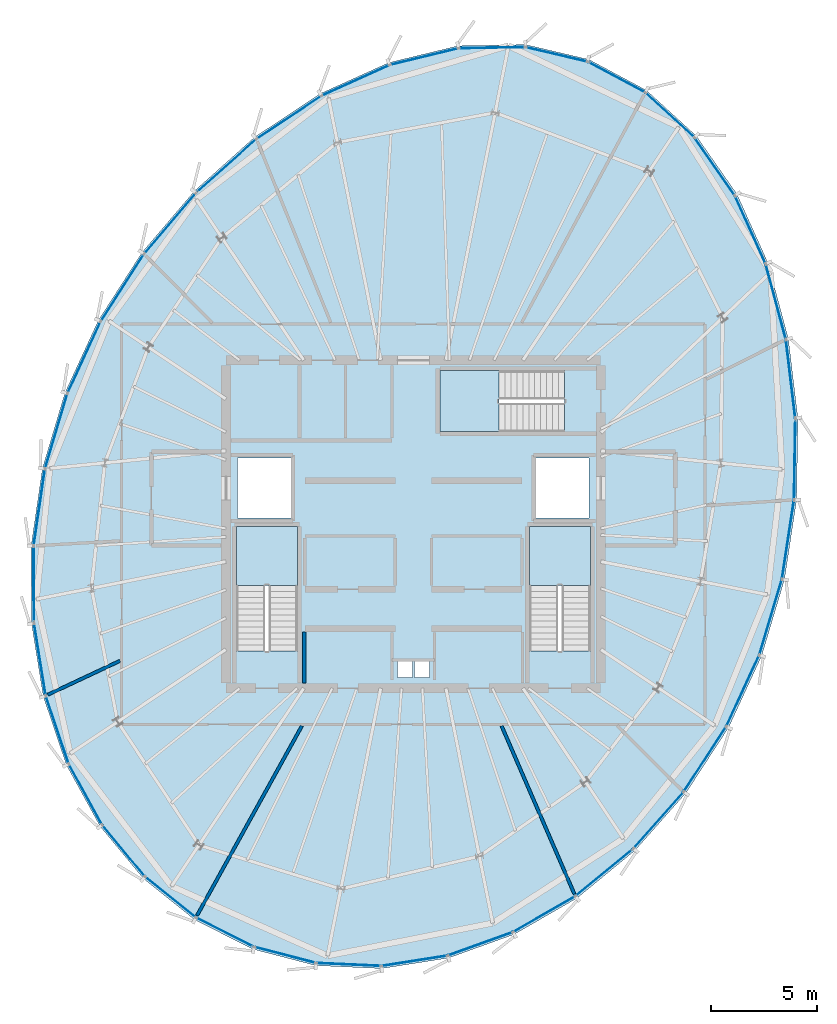
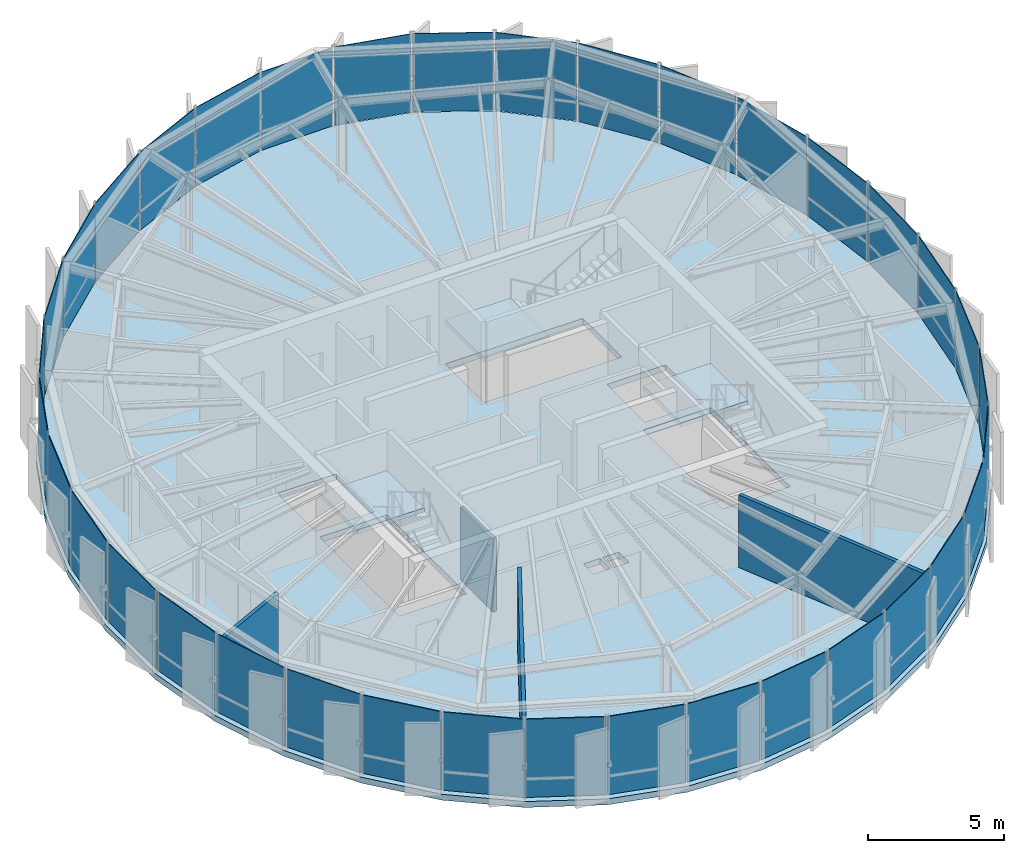
# One storey, part 21 of 27: 36 plates, 4 slabs, 4 walls, 9 elements without a shape of their own.
"""IFC4 building model written with IfcOpenShell, lengths in metres."""

from ifc_helpers import new_model, si_unit, direction, frame, frame_2d, origin, origin_2d, place, context, subcontext, project, spatial, polyline, rectangle, outline, extrude, source, transform, mapped, material, layer, layer_set, type_object, element, aggregate, save


model = new_model("IFC4")

# Units and contexts
model_context = context("Model", 3, precision=1e-05, world=origin(), true_north=direction((0.0, 1.0)))
body_context = subcontext(model_context, "Body", "Model", "MODEL_VIEW")
ifc_project = project(units=[si_unit("LENGTHUNIT", "METRE"), si_unit("AREAUNIT", "SQUARE_METRE"), si_unit("VOLUMEUNIT", "CUBIC_METRE"), si_unit("PLANEANGLEUNIT", "RADIAN"), si_unit("MASSUNIT", "GRAM", prefix="KILO"), si_unit("THERMODYNAMICTEMPERATUREUNIT", "KELVIN")], contexts=[model_context])

# Site, building, storey
site_placement = place(None, origin())
site = spatial("IfcSite", under=ifc_project, at=site_placement, CompositionType="ELEMENT")
building_placement = place(site_placement, origin())
building = spatial("IfcBuilding", under=site, at=building_placement, Name="Kethvar Cultural Tower", CompositionType="ELEMENT")
storey_placement = place(building_placement, frame((0.0, 0.0, 312.300048828125)))
storey = spatial("IfcBuildingStorey", under=building, at=storey_placement, Name="L83", CompositionType="ELEMENT", Elevation=312.300048828125)

# Slab
ifc_material_1 = material(Name="Concrete C45/55", Category="concrete")
ifc_layer_1 = layer(ifc_material_1, 0.264892578125, Name="Concrete C45/55", Category="concrete")
ifc_layer_set_1 = layer_set([ifc_layer_1], Name="Concrete C45/55 (265 mm)")
slab_type_1 = type_object("IfcSlabType", Name="SL-CRN-265", PredefinedType="FLOOR", material=ifc_layer_set_1)
slab_1_placement = place(storey_placement, frame((0.0, 0.0, -0.26513671875)))
element("IfcSlab", 1, at=slab_1_placement, inside=storey, type_object=slab_type_1, Name="L83 Structural Floor Slab", PredefinedType="FLOOR", context=body_context, shape_type="SweptSolid", body=[
    extrude(outline(polyline([(55.047607421875, 49.626953125), (52.06591796875, 50.326904296875), (48.89599609375, 50.268310546875), (45.644287109375, 49.479248046875), (42.424072265625, 48.021728515625), (39.34912109375, 45.98291015625), (36.527587890625, 43.46240234375), (34.0546875, 40.562255859375), (32.00732421875, 37.376708984375), (30.4404296875, 33.981689453125), (29.379638671875, 30.422607421875), (28.847900390625, 26.783447265625), (28.86181640625, 23.175537109375), (29.4208984375, 19.7080078125), (30.5078125, 16.486328125), (32.089599609375, 13.6083984375), (34.11865234375, 11.16162109375), (36.532958984375, 9.220458984375), (39.25927734375, 7.843994140625), (42.214599609375, 7.073486328125), (45.309326171875, 6.93310546875), (48.44921875, 7.426513671875), (51.5390625, 8.539306640625), (54.485107421875, 10.237060546875), (57.197509765625, 12.468505859375), (59.59375, 15.165771484375), (61.6015625, 18.246826171875), (63.159423828125, 21.618408203125), (64.229248046875, 25.200927734375), (64.80029296875, 28.9443359375), (64.863037109375, 32.755126953125), (64.413330078125, 36.51171875), (63.455322265625, 40.07470703125), (62.003662109375, 43.29736328125), (60.08642578125, 46.039794921875), (57.747314453125, 48.18017578125), (55.047607421875, 49.626953125)]), holes=[polyline([(38.489990234375, 21.85009765625), (38.489990234375, 27.699951171875), (41.35009765625, 27.699951171875), (41.35009765625, 21.85009765625), (38.489990234375, 21.85009765625)]), polyline([(52.25, 21.85009765625), (52.25, 27.699951171875), (55.110107421875, 27.699951171875), (55.110107421875, 21.85009765625), (52.25, 21.85009765625)]), polyline([(53.89990234375, 32.14990234375), (48.050048828125, 32.14990234375), (48.050048828125, 35.010009765625), (53.89990234375, 35.010009765625), (53.89990234375, 32.14990234375)]), polyline([(38.550048828125, 30.89990234375), (41.050048828125, 30.89990234375), (41.050048828125, 28.10009765625), (38.550048828125, 28.10009765625), (38.550048828125, 30.89990234375)]), polyline([(52.550048828125, 30.89990234375), (55.050048828125, 30.89990234375), (55.050048828125, 28.10009765625), (52.550048828125, 28.10009765625), (52.550048828125, 30.89990234375)]), polyline([(46.050048828125, 21.35009765625), (46.75, 21.35009765625), (46.75, 20.60009765625), (46.050048828125, 20.60009765625), (46.050048828125, 21.35009765625)]), polyline([(46.85009765625, 21.35009765625), (47.550048828125, 21.35009765625), (47.550048828125, 20.60009765625), (46.85009765625, 20.60009765625), (46.85009765625, 21.35009765625)])]), origin(), (0.0, 0.0, 1.0), 0.26513671875),
])

# Stair, slab
ifc_material_2 = material(Name="Concrete C40/50", Category="concrete")
stair_type = type_object("IfcStairType", Name="ST-DOGLEG-135", PredefinedType="HALF_TURN_STAIR", material=ifc_material_2)
stair_1_placement = place(storey_placement, origin())
stair_1 = element("IfcStair", 2, at=stair_1_placement, inside=storey, type_object=stair_type, Name="L83 Core Exit Stair 1", PredefinedType="HALF_TURN_STAIR")
ifc_layer_2 = layer(ifc_material_2, 0.199951171875, Name="Concrete C40/50", Category="concrete")
ifc_layer_set_2 = layer_set([ifc_layer_2], Name="Concrete C40/50 (200 mm)")
slab_type_2 = type_object("IfcSlabType", Name="SL-STAIR-LANDING-200", PredefinedType="LANDING", material=ifc_layer_set_2)
slab_2_placement = place(storey_placement, frame((0.0, 0.0, 1.800048828125)))
slab_2 = element("IfcSlab", 3, at=slab_2_placement, type_object=slab_type_2, Name="ST-01 landing 1", PredefinedType="LANDING", context=body_context, shape_type="SweptSolid", body=[
    extrude(outline(polyline([(41.35009765625, 24.929931640625), (41.35009765625, 27.699951171875), (38.489990234375, 27.699951171875), (38.489990234375, 24.929931640625), (41.35009765625, 24.929931640625)])), origin(), (0.0, 0.0, 1.0), 0.199951171875),
])
aggregate(stair_1, [slab_2])

stair_2_placement = place(storey_placement, origin())
stair_2 = element("IfcStair", 4, at=stair_2_placement, inside=storey, type_object=stair_type, Name="L83 Core Exit Stair 2", PredefinedType="HALF_TURN_STAIR")
slab_3_placement = place(storey_placement, frame((0.0, 0.0, 1.800048828125)))
slab_3 = element("IfcSlab", 5, at=slab_3_placement, type_object=slab_type_2, Name="ST-02 landing 1", PredefinedType="LANDING", context=body_context, shape_type="SweptSolid", body=[
    extrude(outline(polyline([(55.110107421875, 24.929931640625), (55.110107421875, 27.699951171875), (52.25, 27.699951171875), (52.25, 24.929931640625), (55.110107421875, 24.929931640625)])), origin(), (0.0, 0.0, 1.0), 0.199951171875),
])
aggregate(stair_2, [slab_3])

stair_3_placement = place(storey_placement, origin())
stair_3 = element("IfcStair", 6, at=stair_3_placement, inside=storey, type_object=stair_type, Name="L83 Core Exit Stair 3", PredefinedType="HALF_TURN_STAIR")
slab_4_placement = place(storey_placement, frame((0.0, 0.0, 1.800048828125)))
slab_4 = element("IfcSlab", 7, at=slab_4_placement, type_object=slab_type_2, Name="ST-03 landing 1", PredefinedType="LANDING", context=body_context, shape_type="SweptSolid", body=[
    extrude(outline(polyline([(50.820068359375, 35.010009765625), (48.050048828125, 35.010009765625), (48.050048828125, 32.14990234375), (50.820068359375, 32.14990234375), (50.820068359375, 35.010009765625)])), origin(), (0.0, 0.0, 1.0), 0.199951171875),
])
aggregate(stair_3, [slab_4])

# Curtain wall, plate
ifc_material_3 = material(Name="Aluminium 6063-T6", Category="aluminium")
ifc_layer_3 = layer(ifc_material_3, 0.179931640625, Name="Aluminium 6063-T6", Category="aluminium")
ifc_layer_set_3 = layer_set([ifc_layer_3], Name="Aluminium 6063-T6 (180 mm)")
curtain_wall_type = type_object("IfcCurtainWallType", Name="CW-SYS-06-CROWN", PredefinedType="NOTDEFINED", material=ifc_layer_set_3)
curtain_wall_1_placement = place(storey_placement, origin())
curtain_wall_1 = element("IfcCurtainWall", 8, at=curtain_wall_1_placement, inside=storey, type_object=curtain_wall_type, Name="L83 Curtain Wall Run 01", PredefinedType="NOTDEFINED")
ifc_material_4 = material(Name="Insulated Low-E Solar Glass", Category="glass")
ifc_layer_4 = layer(ifc_material_4, 0.033935546875, Name="Insulated Low-E Solar Glass", Category="glass")
ifc_layer_set_4 = layer_set([ifc_layer_4], Name="Insulated Low-E Solar Glass (34 mm)")
plate_type = type_object("IfcPlateType", Name="CW-SYS-06-CROWN-PNL", PredefinedType="CURTAIN_PANEL", material=ifc_layer_set_4)
shared_shape_1 = source(origin(), body_context, "Body", "SweptSolid", [
    extrude(rectangle(XDim=3.595703125, YDim=0.033935546875, at=origin_2d()), origin(), (0.0, 0.0, 1.0), 3.514892578125),
])
plate_1_placement = place(storey_placement, frame((40.952880859375, 46.90234375, 0.10986328125), z_axis=(0.0, 0.0, 1.0), x_axis=(-0.833423139847, -0.552635386098, 0.0)))
plate_1 = element("IfcPlate", 9, at=plate_1_placement, type_object=plate_type, Name="CW-L83-R01 Vision Glazing Panel 5", PredefinedType="CURTAIN_PANEL", context=body_context, shape_type="MappedRepresentation", body=[
    mapped(shared_shape_1, transform((0.0, 0.0, 0.0), scale=1.0)),
])

curtain_wall_2_placement = place(storey_placement, origin())
curtain_wall_2 = element("IfcCurtainWall", 10, at=curtain_wall_2_placement, inside=storey, type_object=curtain_wall_type, Name="L83 Curtain Wall Run 06", PredefinedType="NOTDEFINED")
plate_2_placement = place(storey_placement, frame((63.818603515625, 38.261962890625, 0.10986328125), z_axis=(0.0, 0.0, 1.0), x_axis=(-0.259661875744, 0.965699596295, 0.0)))
plate_2 = element("IfcPlate", 11, at=plate_2_placement, type_object=plate_type, Name="CW-L83-R06 Vision Glazing Panel 2", PredefinedType="CURTAIN_PANEL", context=body_context, shape_type="MappedRepresentation", body=[
    mapped(shared_shape_1, transform((0.0, 0.0, 0.0), scale=1.0)),
])

curtain_wall_3_placement = place(storey_placement, origin())
curtain_wall_3 = element("IfcCurtainWall", 12, at=curtain_wall_3_placement, inside=storey, type_object=curtain_wall_type, Name="L83 Curtain Wall Run 02", PredefinedType="NOTDEFINED")
shared_shape_2 = source(origin(), body_context, "Body", "SweptSolid", [
    extrude(rectangle(XDim=3.717529296875, YDim=0.033935546875, at=origin_2d()), origin(), (0.0, 0.0, 1.0), 3.514892578125),
])
plate_3_placement = place(storey_placement, frame((35.38232421875, 41.934326171875, 0.10986328125), z_axis=(0.0, 0.0, 1.0), x_axis=(-0.648863907024, -0.760904481628, 0.0)))
plate_3 = element("IfcPlate", 13, at=plate_3_placement, type_object=plate_type, Name="CW-L83-R02 Vision Glazing Panel 1", PredefinedType="CURTAIN_PANEL", context=body_context, shape_type="MappedRepresentation", body=[
    mapped(shared_shape_2, transform((0.0, 0.0, 0.0), scale=1.0)),
])

# Plate
shared_shape_3 = source(origin(), body_context, "Body", "SweptSolid", [
    extrude(rectangle(XDim=2.969482421875, YDim=0.033935546875, at=origin_2d()), origin(), (0.0, 0.0, 1.0), 3.514892578125),
])
plate_4_placement = place(storey_placement, frame((53.529296875, 49.860107421875, 0.10986328125), z_axis=(0.0, 0.0, 1.0), x_axis=(-0.973535044711, 0.228537779632, 0.0)))
plate_4 = element("IfcPlate", 14, at=plate_4_placement, type_object=plate_type, Name="CW-L83-R01 Vision Glazing Panel 1", PredefinedType="CURTAIN_PANEL", context=body_context, shape_type="MappedRepresentation", body=[
    mapped(shared_shape_3, transform((0.0, 0.0, 0.0), scale=1.0)),
])

plate_5_placement = place(storey_placement, frame((56.3408203125, 48.7978515625, 0.10986328125), z_axis=(0.0, 0.0, 1.0), x_axis=(-0.881394159057, 0.472381558045, 0.0)))
plate_5 = element("IfcPlate", 15, at=plate_5_placement, type_object=plate_type, Name="CW-L83-R06 Vision Glazing Panel 6", PredefinedType="CURTAIN_PANEL", context=body_context, shape_type="MappedRepresentation", body=[
    mapped(shared_shape_3, transform((0.0, 0.0, 0.0), scale=1.0)),
])

shared_shape_4 = source(origin(), body_context, "Body", "SweptSolid", [
    extrude(rectangle(XDim=3.076904296875, YDim=0.033935546875, at=origin_2d()), origin(), (0.0, 0.0, 1.0), 3.514892578125),
])
plate_6_placement = place(storey_placement, frame((50.48291015625, 50.177734375, 0.10986328125), z_axis=(0.0, 0.0, 1.0), x_axis=(-0.999828547786, -0.018516885037, 0.0)))
plate_6 = element("IfcPlate", 16, at=plate_6_placement, type_object=plate_type, Name="CW-L83-R01 Vision Glazing Panel 2", PredefinedType="CURTAIN_PANEL", context=body_context, shape_type="MappedRepresentation", body=[
    mapped(shared_shape_4, transform((0.0, 0.0, 0.0), scale=1.0)),
])

plate_7_placement = place(storey_placement, frame((58.8359375, 47.021484375, 0.10986328125), z_axis=(0.0, 0.0, 1.0), x_axis=(-0.737748808042, 0.675075326339, 0.0)))
plate_7 = element("IfcPlate", 17, at=plate_7_placement, type_object=plate_type, Name="CW-L83-R06 Vision Glazing Panel 5", PredefinedType="CURTAIN_PANEL", context=body_context, shape_type="MappedRepresentation", body=[
    mapped(shared_shape_4, transform((0.0, 0.0, 0.0), scale=1.0)),
])

shared_shape_5 = source(origin(), body_context, "Body", "SweptSolid", [
    extrude(rectangle(XDim=3.25244140625, YDim=0.033935546875, at=origin_2d()), origin(), (0.0, 0.0, 1.0), 3.514892578125),
])
plate_8_placement = place(storey_placement, frame((47.29833984375, 49.757080078125, 0.10986328125), z_axis=(0.0, 0.0, 1.0), x_axis=(-0.971796603568, -0.235820612531, 0.0)))
plate_8 = element("IfcPlate", 18, at=plate_8_placement, type_object=plate_type, Name="CW-L83-R01 Vision Glazing Panel 3", PredefinedType="CURTAIN_PANEL", context=body_context, shape_type="MappedRepresentation", body=[
    mapped(shared_shape_5, transform((0.0, 0.0, 0.0), scale=1.0)),
])

plate_9_placement = place(storey_placement, frame((60.94677734375, 44.599853515625, 0.10986328125), z_axis=(0.0, 0.0, 1.0), x_axis=(-0.572990116638, 0.819562277216, 0.0)))
plate_9 = element("IfcPlate", 19, at=plate_9_placement, type_object=plate_type, Name="CW-L83-R06 Vision Glazing Panel 4", PredefinedType="CURTAIN_PANEL", context=body_context, shape_type="MappedRepresentation", body=[
    mapped(shared_shape_5, transform((0.0, 0.0, 0.0), scale=1.0)),
])

shared_shape_6 = source(origin(), body_context, "Body", "SweptSolid", [
    extrude(rectangle(XDim=3.441162109375, YDim=0.033935546875, at=origin_2d()), origin(), (0.0, 0.0, 1.0), 3.514892578125),
])
plate_10_placement = place(storey_placement, frame((44.08349609375, 48.64111328125, 0.10986328125), z_axis=(0.0, 0.0, 1.0), x_axis=(-0.911029422747, -0.412341352388, 0.0)))
plate_10 = element("IfcPlate", 20, at=plate_10_placement, type_object=plate_type, Name="CW-L83-R01 Vision Glazing Panel 4", PredefinedType="CURTAIN_PANEL", context=body_context, shape_type="MappedRepresentation", body=[
    mapped(shared_shape_6, transform((0.0, 0.0, 0.0), scale=1.0)),
])

shared_shape_7 = source(origin(), body_context, "Body", "SweptSolid", [
    extrude(rectangle(XDim=3.689697265625, YDim=0.033935546875, at=origin_2d()), origin(), (0.0, 0.0, 1.0), 3.514892578125),
])
plate_11_placement = place(storey_placement, frame((38.018310546875, 44.633056640625, 0.10986328125), z_axis=(0.0, 0.0, 1.0), x_axis=(-0.745778385758, -0.666194115357, 0.0)))
plate_11 = element("IfcPlate", 21, at=plate_11_placement, type_object=plate_type, Name="CW-L83-R01 Vision Glazing Panel 6", PredefinedType="CURTAIN_PANEL", context=body_context, shape_type="MappedRepresentation", body=[
    mapped(shared_shape_7, transform((0.0, 0.0, 0.0), scale=1.0)),
])

aggregate(curtain_wall_1, [plate_4, plate_6, plate_8, plate_10, plate_1, plate_11])

shared_shape_8 = source(origin(), body_context, "Body", "SweptSolid", [
    extrude(rectangle(XDim=3.693115234375, YDim=0.033935546875, at=origin_2d()), origin(), (0.0, 0.0, 1.0), 3.514892578125),
])
plate_12_placement = place(storey_placement, frame((33.132080078125, 38.90478515625, 0.10986328125), z_axis=(0.0, 0.0, 1.0), x_axis=(-0.540622130321, -0.84126554203, 0.0)))
plate_12 = element("IfcPlate", 22, at=plate_12_placement, type_object=plate_type, Name="CW-L83-R02 Vision Glazing Panel 2", PredefinedType="CURTAIN_PANEL", context=body_context, shape_type="MappedRepresentation", body=[
    mapped(shared_shape_8, transform((0.0, 0.0, 0.0), scale=1.0)),
])

# Curtain wall, plate
curtain_wall_4_placement = place(storey_placement, origin())
curtain_wall_4 = element("IfcCurtainWall", 23, at=curtain_wall_4_placement, inside=storey, type_object=curtain_wall_type, Name="L83 Curtain Wall Run 05", PredefinedType="NOTDEFINED")
plate_13_placement = place(storey_placement, frame((64.396240234375, 27.0908203125, 0.10986328125), z_axis=(0.0, 0.0, 1.0), x_axis=(0.150812240392, 0.988562425013, 0.0)))
plate_13 = element("IfcPlate", 24, at=plate_13_placement, type_object=plate_type, Name="CW-L83-R05 Vision Glazing Panel 5", PredefinedType="CURTAIN_PANEL", context=body_context, shape_type="MappedRepresentation", body=[
    mapped(shared_shape_8, transform((0.0, 0.0, 0.0), scale=1.0)),
])

# Plate
shared_shape_9 = source(origin(), body_context, "Body", "SweptSolid", [
    extrude(rectangle(XDim=3.6455078125, YDim=0.033935546875, at=origin_2d()), origin(), (0.0, 0.0, 1.0), 3.514892578125),
])
plate_14_placement = place(storey_placement, frame((31.3330078125, 35.62890625, 0.10986328125), z_axis=(0.0, 0.0, 1.0), x_axis=(-0.419055949883, -0.90796041261, 0.0)))
plate_14 = element("IfcPlate", 25, at=plate_14_placement, type_object=plate_type, Name="CW-L83-R02 Vision Glazing Panel 3", PredefinedType="CURTAIN_PANEL", context=body_context, shape_type="MappedRepresentation", body=[
    mapped(shared_shape_9, transform((0.0, 0.0, 0.0), scale=1.0)),
])

plate_15_placement = place(storey_placement, frame((63.579345703125, 23.444091796875, 0.10986328125), z_axis=(0.0, 0.0, 1.0), x_axis=(0.286123210965, 0.958192834531, 0.0)))
plate_15 = element("IfcPlate", 26, at=plate_15_placement, type_object=plate_type, Name="CW-L83-R05 Vision Glazing Panel 4", PredefinedType="CURTAIN_PANEL", context=body_context, shape_type="MappedRepresentation", body=[
    mapped(shared_shape_9, transform((0.0, 0.0, 0.0), scale=1.0)),
])

shared_shape_10 = source(origin(), body_context, "Body", "SweptSolid", [
    extrude(rectangle(XDim=3.620361328125, YDim=0.033935546875, at=origin_2d()), origin(), (0.0, 0.0, 1.0), 3.514892578125),
])
plate_16_placement = place(storey_placement, frame((30.025146484375, 32.16796875, 0.10986328125), z_axis=(0.0, 0.0, 1.0), x_axis=(-0.285654915462, -0.958332546287, 0.0)))
plate_16 = element("IfcPlate", 27, at=plate_16_placement, type_object=plate_type, Name="CW-L83-R02 Vision Glazing Panel 4", PredefinedType="CURTAIN_PANEL", context=body_context, shape_type="MappedRepresentation", body=[
    mapped(shared_shape_10, transform((0.0, 0.0, 0.0), scale=1.0)),
])

shared_shape_11 = source(origin(), body_context, "Body", "SweptSolid", [
    extrude(rectangle(XDim=3.583984375, YDim=0.033935546875, at=origin_2d()), origin(), (0.0, 0.0, 1.0), 3.514892578125),
])
plate_17_placement = place(storey_placement, frame((29.232421875, 28.585693359375, 0.10986328125), z_axis=(0.0, 0.0, 1.0), x_axis=(-0.144546173653, -0.989498056432, 0.0)))
plate_17 = element("IfcPlate", 28, at=plate_17_placement, type_object=plate_type, Name="CW-L83-R02 Vision Glazing Panel 5", PredefinedType="CURTAIN_PANEL", context=body_context, shape_type="MappedRepresentation", body=[
    mapped(shared_shape_11, transform((0.0, 0.0, 0.0), scale=1.0)),
])

plate_18_placement = place(storey_placement, frame((60.4970703125, 16.771728515625, 0.10986328125), z_axis=(0.0, 0.0, 1.0), x_axis=(0.545941120503, 0.837823545231, 0.0)))
plate_18 = element("IfcPlate", 29, at=plate_18_placement, type_object=plate_type, Name="CW-L83-R05 Vision Glazing Panel 2", PredefinedType="CURTAIN_PANEL", context=body_context, shape_type="MappedRepresentation", body=[
    mapped(shared_shape_11, transform((0.0, 0.0, 0.0), scale=1.0)),
])

shared_shape_12 = source(origin(), body_context, "Body", "SweptSolid", [
    extrude(rectangle(XDim=3.514404296875, YDim=0.033935546875, at=origin_2d()), origin(), (0.0, 0.0, 1.0), 3.514892578125),
])
plate_19_placement = place(storey_placement, frame((28.974853515625, 24.97998046875, 0.10986328125), z_axis=(0.0, 0.0, 1.0), x_axis=(0.003857168083, -0.9999925611, 0.0)))
plate_19 = element("IfcPlate", 30, at=plate_19_placement, type_object=plate_type, Name="CW-L83-R02 Vision Glazing Panel 6", PredefinedType="CURTAIN_PANEL", context=body_context, shape_type="MappedRepresentation", body=[
    mapped(shared_shape_12, transform((0.0, 0.0, 0.0), scale=1.0)),
])

aggregate(curtain_wall_3, [plate_3, plate_12, plate_14, plate_16, plate_17, plate_19])

plate_20_placement = place(storey_placement, frame((58.305908203125, 13.896728515625, 0.10986328125), z_axis=(0.0, 0.0, 1.0), x_axis=(0.66417415538, 0.747577883116, 0.0)))
plate_20 = element("IfcPlate", 31, at=plate_20_placement, type_object=plate_type, Name="CW-L83-R05 Vision Glazing Panel 1", PredefinedType="CURTAIN_PANEL", context=body_context, shape_type="MappedRepresentation", body=[
    mapped(shared_shape_12, transform((0.0, 0.0, 0.0), scale=1.0)),
])

# Curtain wall, plate
curtain_wall_5_placement = place(storey_placement, origin())
curtain_wall_5 = element("IfcCurtainWall", 32, at=curtain_wall_5_placement, inside=storey, type_object=curtain_wall_type, Name="L83 Curtain Wall Run 03", PredefinedType="NOTDEFINED")
shared_shape_13 = source(origin(), body_context, "Body", "SweptSolid", [
    extrude(rectangle(XDim=3.418701171875, YDim=0.033935546875, at=origin_2d()), origin(), (0.0, 0.0, 1.0), 3.514892578125),
])
plate_21_placement = place(storey_placement, frame((29.259765625, 21.4609375, 0.10986328125), z_axis=(0.0, 0.0, 1.0), x_axis=(0.159123074391, -0.987258753922, 0.0)))
plate_21 = element("IfcPlate", 33, at=plate_21_placement, type_object=plate_type, Name="CW-L83-R03 Vision Glazing Panel 1", PredefinedType="CURTAIN_PANEL", context=body_context, shape_type="MappedRepresentation", body=[
    mapped(shared_shape_13, transform((0.0, 0.0, 0.0), scale=1.0)),
])

curtain_wall_6_placement = place(storey_placement, origin())
curtain_wall_6 = element("IfcCurtainWall", 34, at=curtain_wall_6_placement, inside=storey, type_object=curtain_wall_type, Name="L83 Curtain Wall Run 04", PredefinedType="NOTDEFINED")
plate_22_placement = place(storey_placement, frame((55.764892578125, 11.4453125, 0.10986328125), z_axis=(0.0, 0.0, 1.0), x_axis=(0.772256996021, 0.635310264435, 0.0)))
plate_22 = element("IfcPlate", 35, at=plate_22_placement, type_object=plate_type, Name="CW-L83-R04 Vision Glazing Panel 6", PredefinedType="CURTAIN_PANEL", context=body_context, shape_type="MappedRepresentation", body=[
    mapped(shared_shape_13, transform((0.0, 0.0, 0.0), scale=1.0)),
])

# Plate
shared_shape_14 = source(origin(), body_context, "Body", "SweptSolid", [
    extrude(rectangle(XDim=3.306396484375, YDim=0.033935546875, at=origin_2d()), origin(), (0.0, 0.0, 1.0), 3.514892578125),
])
plate_23_placement = place(storey_placement, frame((30.077880859375, 18.135498046875, 0.10986328125), z_axis=(0.0, 0.0, 1.0), x_axis=(0.319670511616, -0.947528766847, 0.0)))
plate_23 = element("IfcPlate", 36, at=plate_23_placement, type_object=plate_type, Name="CW-L83-R03 Vision Glazing Panel 2", PredefinedType="CURTAIN_PANEL", context=body_context, shape_type="MappedRepresentation", body=[
    mapped(shared_shape_14, transform((0.0, 0.0, 0.0), scale=1.0)),
])

plate_24_placement = place(storey_placement, frame((52.9521484375, 9.491943359375, 0.10986328125), z_axis=(0.0, 0.0, 1.0), x_axis=(0.866409120818, 0.499334792864, 0.0)))
plate_24 = element("IfcPlate", 37, at=plate_24_placement, type_object=plate_type, Name="CW-L83-R04 Vision Glazing Panel 5", PredefinedType="CURTAIN_PANEL", context=body_context, shape_type="MappedRepresentation", body=[
    mapped(shared_shape_14, transform((0.0, 0.0, 0.0), scale=1.0)),
])

shared_shape_15 = source(origin(), body_context, "Body", "SweptSolid", [
    extrude(rectangle(XDim=3.1904296875, YDim=0.033935546875, at=origin_2d()), origin(), (0.0, 0.0, 1.0), 3.514892578125),
])
plate_25_placement = place(storey_placement, frame((31.40380859375, 15.105224609375, 0.10986328125), z_axis=(0.0, 0.0, 1.0), x_axis=(0.481723084935, -0.876323495886, 0.0)))
plate_25 = element("IfcPlate", 38, at=plate_25_placement, type_object=plate_type, Name="CW-L83-R03 Vision Glazing Panel 3", PredefinedType="CURTAIN_PANEL", context=body_context, shape_type="MappedRepresentation", body=[
    mapped(shared_shape_15, transform((0.0, 0.0, 0.0), scale=1.0)),
])

plate_26_placement = place(storey_placement, frame((49.95361328125, 8.095703125, 0.10986328125), z_axis=(0.0, 0.0, 1.0), x_axis=(0.940863031388, 0.338787184183, 0.0)))
plate_26 = element("IfcPlate", 39, at=plate_26_placement, type_object=plate_type, Name="CW-L83-R04 Vision Glazing Panel 4", PredefinedType="CURTAIN_PANEL", context=body_context, shape_type="MappedRepresentation", body=[
    mapped(shared_shape_15, transform((0.0, 0.0, 0.0), scale=1.0)),
])

shared_shape_16 = source(origin(), body_context, "Body", "SweptSolid", [
    extrude(rectangle(XDim=3.0849609375, YDim=0.033935546875, at=origin_2d()), origin(), (0.0, 0.0, 1.0), 3.514892578125),
])
plate_27_placement = place(storey_placement, frame((33.196533203125, 12.461669921875, 0.10986328125), z_axis=(0.0, 0.0, 1.0), x_axis=(0.638338004137, -0.76975619028, 0.0)))
plate_27 = element("IfcPlate", 40, at=plate_27_placement, type_object=plate_type, Name="CW-L83-R03 Vision Glazing Panel 4", PredefinedType="CURTAIN_PANEL", context=body_context, shape_type="MappedRepresentation", body=[
    mapped(shared_shape_16, transform((0.0, 0.0, 0.0), scale=1.0)),
])

shared_shape_17 = source(origin(), body_context, "Body", "SweptSolid", [
    extrude(rectangle(XDim=3.00439453125, YDim=0.033935546875, at=origin_2d()), origin(), (0.0, 0.0, 1.0), 3.514892578125),
])
plate_28_placement = place(storey_placement, frame((35.40087890625, 10.28466796875, 0.10986328125), z_axis=(0.0, 0.0, 1.0), x_axis=(0.779327028513, -0.626617413282, 0.0)))
plate_28 = element("IfcPlate", 41, at=plate_28_placement, type_object=plate_type, Name="CW-L83-R03 Vision Glazing Panel 5", PredefinedType="CURTAIN_PANEL", context=body_context, shape_type="MappedRepresentation", body=[
    mapped(shared_shape_17, transform((0.0, 0.0, 0.0), scale=1.0)),
])

plate_29_placement = place(storey_placement, frame((43.767333984375, 7.123291015625, 0.10986328125), z_axis=(0.0, 0.0, 1.0), x_axis=(0.998971361372, -0.045345552797, 0.0)))
plate_29 = element("IfcPlate", 42, at=plate_29_placement, type_object=plate_type, Name="CW-L83-R04 Vision Glazing Panel 2", PredefinedType="CURTAIN_PANEL", context=body_context, shape_type="MappedRepresentation", body=[
    mapped(shared_shape_17, transform((0.0, 0.0, 0.0), scale=1.0)),
])

shared_shape_18 = source(origin(), body_context, "Body", "SweptSolid", [
    extrude(rectangle(XDim=2.96044921875, YDim=0.033935546875, at=origin_2d()), origin(), (0.0, 0.0, 1.0), 3.514892578125),
])
plate_30_placement = place(storey_placement, frame((37.9501953125, 8.639404296875, 0.10986328125), z_axis=(0.0, 0.0, 1.0), x_axis=(0.892648764132, -0.450752907804, 0.0)))
plate_30 = element("IfcPlate", 43, at=plate_30_placement, type_object=plate_type, Name="CW-L83-R03 Vision Glazing Panel 6", PredefinedType="CURTAIN_PANEL", context=body_context, shape_type="MappedRepresentation", body=[
    mapped(shared_shape_18, transform((0.0, 0.0, 0.0), scale=1.0)),
])

aggregate(curtain_wall_5, [plate_21, plate_23, plate_25, plate_27, plate_28, plate_30])

plate_31_placement = place(storey_placement, frame((40.76708984375, 7.57470703125, 0.10986328125), z_axis=(0.0, 0.0, 1.0), x_axis=(0.967669563581, -0.252221362534, 0.0)))
plate_31 = element("IfcPlate", 44, at=plate_31_placement, type_object=plate_type, Name="CW-L83-R04 Vision Glazing Panel 1", PredefinedType="CURTAIN_PANEL", context=body_context, shape_type="MappedRepresentation", body=[
    mapped(shared_shape_18, transform((0.0, 0.0, 0.0), scale=1.0)),
])

shared_shape_19 = source(origin(), body_context, "Body", "SweptSolid", [
    extrude(rectangle(XDim=3.084716796875, YDim=0.033935546875, at=origin_2d()), origin(), (0.0, 0.0, 1.0), 3.514892578125),
])
plate_32_placement = place(storey_placement, frame((46.860595703125, 7.29833984375, 0.10986328125), z_axis=(0.0, 0.0, 1.0), x_axis=(0.987873305108, 0.155262143023, 0.0)))
plate_32 = element("IfcPlate", 45, at=plate_32_placement, type_object=plate_type, Name="CW-L83-R04 Vision Glazing Panel 3", PredefinedType="CURTAIN_PANEL", context=body_context, shape_type="MappedRepresentation", body=[
    mapped(shared_shape_19, transform((0.0, 0.0, 0.0), scale=1.0)),
])

aggregate(curtain_wall_6, [plate_31, plate_29, plate_32, plate_26, plate_24, plate_22])

shared_shape_20 = source(origin(), body_context, "Body", "SweptSolid", [
    extrude(rectangle(XDim=3.62060546875, YDim=0.033935546875, at=origin_2d()), origin(), (0.0, 0.0, 1.0), 3.514892578125),
])
plate_33_placement = place(storey_placement, frame((62.271484375, 19.98291015625, 0.10986328125), z_axis=(0.0, 0.0, 1.0), x_axis=(0.419483769602, 0.90776283634, 0.0)))
plate_33 = element("IfcPlate", 46, at=plate_33_placement, type_object=plate_type, Name="CW-L83-R05 Vision Glazing Panel 3", PredefinedType="CURTAIN_PANEL", context=body_context, shape_type="MappedRepresentation", body=[
    mapped(shared_shape_20, transform((0.0, 0.0, 0.0), scale=1.0)),
])

shared_shape_21 = source(origin(), body_context, "Body", "SweptSolid", [
    extrude(rectangle(XDim=3.7177734375, YDim=0.033935546875, at=origin_2d()), origin(), (0.0, 0.0, 1.0), 3.514892578125),
])
plate_34_placement = place(storey_placement, frame((64.711669921875, 30.851806640625, 0.10986328125), z_axis=(0.0, 0.0, 1.0), x_axis=(0.01645771181, 0.999864562689, 0.0)))
plate_34 = element("IfcPlate", 47, at=plate_34_placement, type_object=plate_type, Name="CW-L83-R05 Vision Glazing Panel 6", PredefinedType="CURTAIN_PANEL", context=body_context, shape_type="MappedRepresentation", body=[
    mapped(shared_shape_21, transform((0.0, 0.0, 0.0), scale=1.0)),
])

aggregate(curtain_wall_4, [plate_20, plate_18, plate_33, plate_15, plate_13, plate_34])

shared_shape_22 = source(origin(), body_context, "Body", "SweptSolid", [
    extrude(rectangle(XDim=3.68994140625, YDim=0.033935546875, at=origin_2d()), origin(), (0.0, 0.0, 1.0), 3.514892578125),
])
plate_35_placement = place(storey_placement, frame((64.51904296875, 34.619140625, 0.10986328125), z_axis=(0.0, 0.0, 1.0), x_axis=(-0.118854549554, 0.992911675856, 0.0)))
plate_35 = element("IfcPlate", 48, at=plate_35_placement, type_object=plate_type, Name="CW-L83-R06 Vision Glazing Panel 1", PredefinedType="CURTAIN_PANEL", context=body_context, shape_type="MappedRepresentation", body=[
    mapped(shared_shape_22, transform((0.0, 0.0, 0.0), scale=1.0)),
])

shared_shape_23 = source(origin(), body_context, "Body", "SweptSolid", [
    extrude(rectangle(XDim=3.44091796875, YDim=0.033935546875, at=origin_2d()), origin(), (0.0, 0.0, 1.0), 3.514892578125),
])
plate_36_placement = place(storey_placement, frame((62.6201171875, 41.63671875, 0.10986328125), z_axis=(0.0, 0.0, 1.0), x_axis=(-0.410702939301, 0.911769211834, 0.0)))
plate_36 = element("IfcPlate", 49, at=plate_36_placement, type_object=plate_type, Name="CW-L83-R06 Vision Glazing Panel 3", PredefinedType="CURTAIN_PANEL", context=body_context, shape_type="MappedRepresentation", body=[
    mapped(shared_shape_23, transform((0.0, 0.0, 0.0), scale=1.0)),
])

aggregate(curtain_wall_2, [plate_35, plate_2, plate_36, plate_9, plate_7, plate_5])

# Walls
ifc_material_5 = material(Name="Gypsum Fireboard Partition")
ifc_layer_5 = layer(ifc_material_5, 0.14990234375, Name="Gypsum Fireboard Partition")
ifc_layer_set_5 = layer_set([ifc_layer_5], Name="Gypsum Fireboard Partition (150 mm)")
wall_type = type_object("IfcWallType", Name="WL-FIRE-150", PredefinedType="PARTITIONING", material=ifc_layer_set_5)
wall_1_placement = place(storey_placement, frame((41.679931640625, 20.3349609375, 0.0), z_axis=(0.0, 0.0, 1.0), x_axis=(0.0, 1.0, 0.0)))
element("IfcWall", 50, at=wall_1_placement, inside=storey, type_object=wall_type, Name="L83 Reclaimed West Outer Wall", PredefinedType="PARTITIONING", context=body_context, shape_type="SweptSolid", body=[
    extrude(rectangle(XDim=2.39501953125, YDim=0.14990234375, at=frame_2d((1.197509765625, 0.0))), origin(), (0.0, 0.0, 1.0), 3.260009765625),
])
wall_2_placement = place(storey_placement, frame((33.027587890625, 21.38720703125, 0.0), z_axis=(0.0, 0.0, 1.0), x_axis=(-0.905123946603, -0.425147787581, 0.0)))
element("IfcWall", 51, at=wall_2_placement, inside=storey, type_object=wall_type, Name="L83 Radial Partition Wall 02", PredefinedType="PARTITIONING", context=body_context, shape_type="SweptSolid", body=[
    extrude(rectangle(XDim=3.749267578125, YDim=0.14990234375, at=frame_2d((1.87451171875, 0.0))), origin(), (0.0, 0.0, 1.0), 3.260009765625),
])
wall_3_placement = place(storey_placement, frame((41.56689453125, 18.330078125, 0.0), z_axis=(0.0, 0.0, 1.0), x_axis=(-0.48403520287, -0.87504852573, 0.0)))
element("IfcWall", 52, at=wall_3_placement, inside=storey, type_object=wall_type, Name="L83 Radial Partition Wall 03", PredefinedType="PARTITIONING", context=body_context, shape_type="SweptSolid", body=[
    extrude(rectangle(XDim=10.177978515625, YDim=0.14990234375, at=frame_2d((5.0888671875, 0.0))), origin(), (0.0, 0.0, 1.0), 3.260009765625),
])
wall_4_placement = place(storey_placement, frame((50.94482421875, 18.32666015625, 0.0), z_axis=(0.0, 0.0, 1.0), x_axis=(0.39746729675, -0.917616340316, 0.0)))
element("IfcWall", 53, at=wall_4_placement, inside=storey, type_object=wall_type, Name="L83 Radial Partition Wall 04", PredefinedType="PARTITIONING", context=body_context, shape_type="SweptSolid", body=[
    extrude(rectangle(XDim=8.60498046875, YDim=0.14990234375, at=frame_2d((4.302490234375, 0.0))), origin(), (0.0, 0.0, 1.0), 3.260009765625),
])

save(model, "model.ifc")
